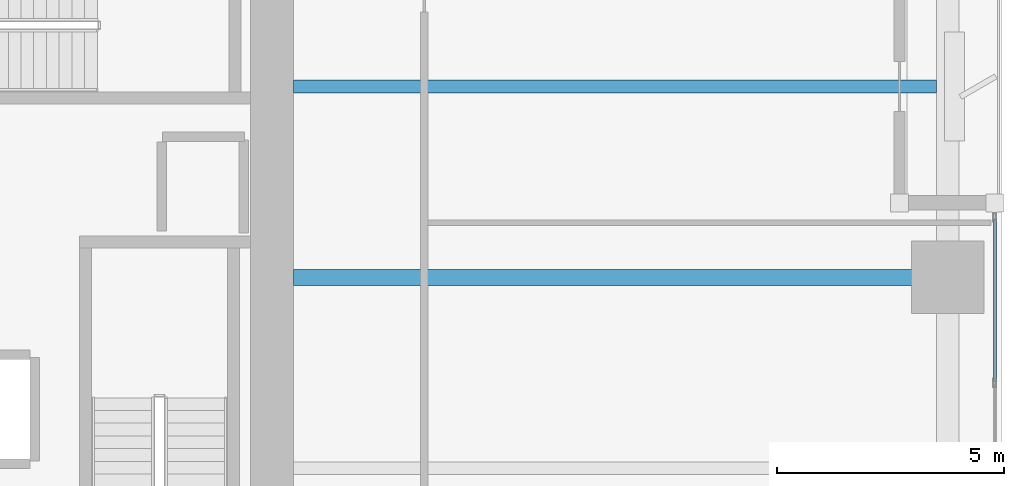
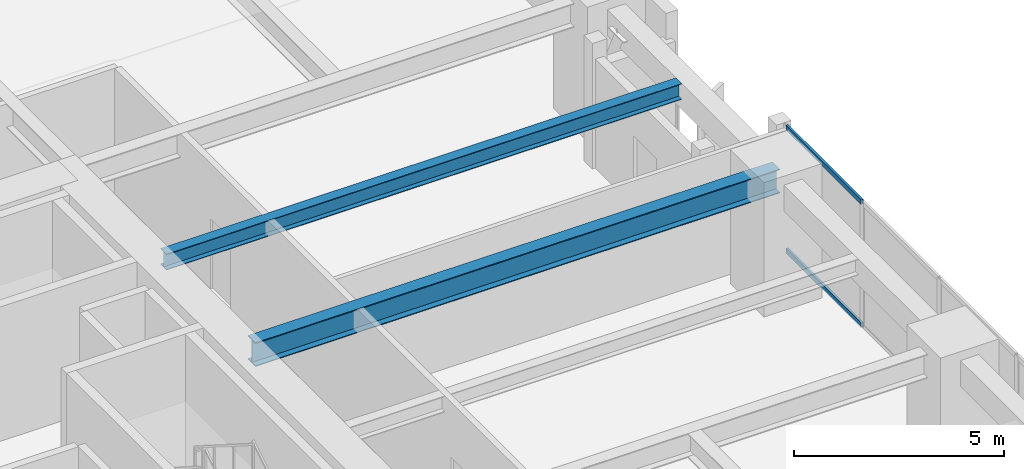
# One storey, part 9 of 28: 2 beams, 2 members, 1 element without a shape of its own.
"""IFC4 building model written with IfcOpenShell, lengths in metres."""

from ifc_helpers import new_model, si_unit, direction, frame, origin, origin_2d, place, context, subcontext, project, spatial, hollow_rectangle, i_section, extrude, material, layer, layer_set, material_profile, profile_set, type_object, element, aggregate, save


model = new_model("IFC4")

# Units and contexts
model_context = context("Model", 3, precision=1e-05, world=origin(), true_north=direction((0.0, 1.0)))
body_context = subcontext(model_context, "Body", "Model", "MODEL_VIEW")
ifc_project = project(units=[si_unit("LENGTHUNIT", "METRE"), si_unit("AREAUNIT", "SQUARE_METRE"), si_unit("VOLUMEUNIT", "CUBIC_METRE"), si_unit("PLANEANGLEUNIT", "RADIAN"), si_unit("MASSUNIT", "GRAM", prefix="KILO")], contexts=[model_context])

# Site, building, storey
site_placement = place(None, origin())
site = spatial("IfcSite", under=ifc_project, at=site_placement, CompositionType="ELEMENT")
building_placement = place(site_placement, origin())
building = spatial("IfcBuilding", under=site, at=building_placement, Name="Kiyonajd Concourse Tower", CompositionType="ELEMENT")
storey_placement = place(building_placement, frame((0.0, 0.0, 60.60009765625)))
storey = spatial("IfcBuildingStorey", under=building, at=storey_placement, Name="L16", CompositionType="ELEMENT", Elevation=60.60009765625)

# Beams
ifc_material_1 = material(Name="Steel ASTM A992 Grade 50", Category="steel")
ifc_material_profile_1 = material_profile(ifc_material_1, i_section(OverallWidth=0.280029296875, OverallDepth=0.462890625, WebThickness=0.0107421875, FlangeThickness=0.017333984375, at=origin_2d()), Name="W460X113")
ifc_profile_set_1 = profile_set([ifc_material_profile_1], Name="Steel ASTM A992 Grade 50")
beam_type_1 = type_object("IfcBeamType", Name="BM-JST-460A", PredefinedType="JOIST", material=ifc_profile_set_1)
beam_1_placement = place(storey_placement, frame((63.60009765625, 40.199951171875, 3.408447265625), z_axis=(1.0, 0.0, 0.0), x_axis=(0.0, 1.0, 0.0)))
element("IfcBeam", 1, at=beam_1_placement, inside=storey, type_object=beam_type_1, Name="L16 East Secondary Floor Joist", PredefinedType="JOIST", context=body_context, shape_type="SweptSolid", body=[
    extrude(i_section(OverallWidth=0.280029296875, OverallDepth=0.462890625, WebThickness=0.0107421875, FlangeThickness=0.017333984375, at=origin_2d()), origin(), (0.0, 0.0, 1.0), 14.14990234375),
])
ifc_material_profile_2 = material_profile(ifc_material_1, i_section(OverallWidth=0.35498046875, OverallDepth=0.695068359375, WebThickness=0.015380859375, FlangeThickness=0.02490234375, at=origin_2d()), Name="W690X217")
ifc_profile_set_2 = profile_set([ifc_material_profile_2], Name="Steel ASTM A992 Grade 50")
beam_type_2 = type_object("IfcBeamType", Name="BM-TWR-690", PredefinedType="BEAM", material=ifc_profile_set_2)
beam_2_placement = place(storey_placement, frame((63.60009765625, 36.0, 3.29248046875), z_axis=(1.0, 0.0, 0.0), x_axis=(0.0, 1.0, 0.0)))
element("IfcBeam", 2, at=beam_2_placement, inside=storey, type_object=beam_type_2, Name="L16 East Lease Girder", PredefinedType="BEAM", context=body_context, shape_type="SweptSolid", body=[
    extrude(i_section(OverallWidth=0.35498046875, OverallDepth=0.695068359375, WebThickness=0.015380859375, FlangeThickness=0.02490234375, at=origin_2d()), origin(), (0.0, 0.0, 1.0), 14.39990234375),
])

# Curtain wall, members
ifc_material_2 = material(Name="Thermally Broken Anodised Aluminium", Category="aluminium")
ifc_layer = layer(ifc_material_2, 0.179931640625)
ifc_layer_set = layer_set([ifc_layer], Name="Thermally Broken Anodised Aluminium")
curtain_wall_type = type_object("IfcCurtainWallType", Name="CW-SYS-02", PredefinedType="NOTDEFINED", material=ifc_layer_set)
curtain_wall_placement = place(storey_placement, origin())
curtain_wall = element("IfcCurtainWall", 3, at=curtain_wall_placement, inside=storey, type_object=curtain_wall_type, Name="L16 Unitised Curtain Wall CW2", PredefinedType="NOTDEFINED")
ifc_material_profile_3 = material_profile(ifc_material_2, hollow_rectangle(XDim=0.06494140625, YDim=0.139892578125, WallThickness=0.00390625, at=origin_2d()), Name="TRAN-65x140")
ifc_profile_set_3 = profile_set([ifc_material_profile_3], Name="Thermally Broken Anodised Aluminium")
member_type = type_object("IfcMemberType", Name="MB-CW-TRAN1", PredefinedType="USERDEFINED", material=ifc_profile_set_3)
member_1_placement = place(storey_placement, frame((79.0400390625, 37.284912109375, 0.032470703125), z_axis=(0.0, -1.0, 0.0), x_axis=(1.0, 0.0, 0.0)))
member_1 = element("IfcMember", 4, at=member_1_placement, type_object=member_type, Name="CW2 transom 1.1", ObjectType="TRANSOM", PredefinedType="USERDEFINED", context=body_context, shape_type="SweptSolid", body=[
    extrude(hollow_rectangle(XDim=0.06494140625, YDim=0.139892578125, WallThickness=0.00390625, at=origin_2d()), origin(), (0.0, 0.0, 1.0), 3.57568359375),
])
member_2_placement = place(storey_placement, frame((79.0400390625, 37.284912109375, 3.607421875), z_axis=(0.0, -1.0, 0.0), x_axis=(1.0, 0.0, 0.0)))
member_2 = element("IfcMember", 5, at=member_2_placement, type_object=member_type, Name="CW2 transom 1.2", ObjectType="TRANSOM", PredefinedType="USERDEFINED", context=body_context, shape_type="SweptSolid", body=[
    extrude(hollow_rectangle(XDim=0.06494140625, YDim=0.139892578125, WallThickness=0.00390625, at=origin_2d()), origin(), (0.0, 0.0, 1.0), 3.57568359375),
])
aggregate(curtain_wall, [member_1, member_2])

save(model, "model.ifc")
